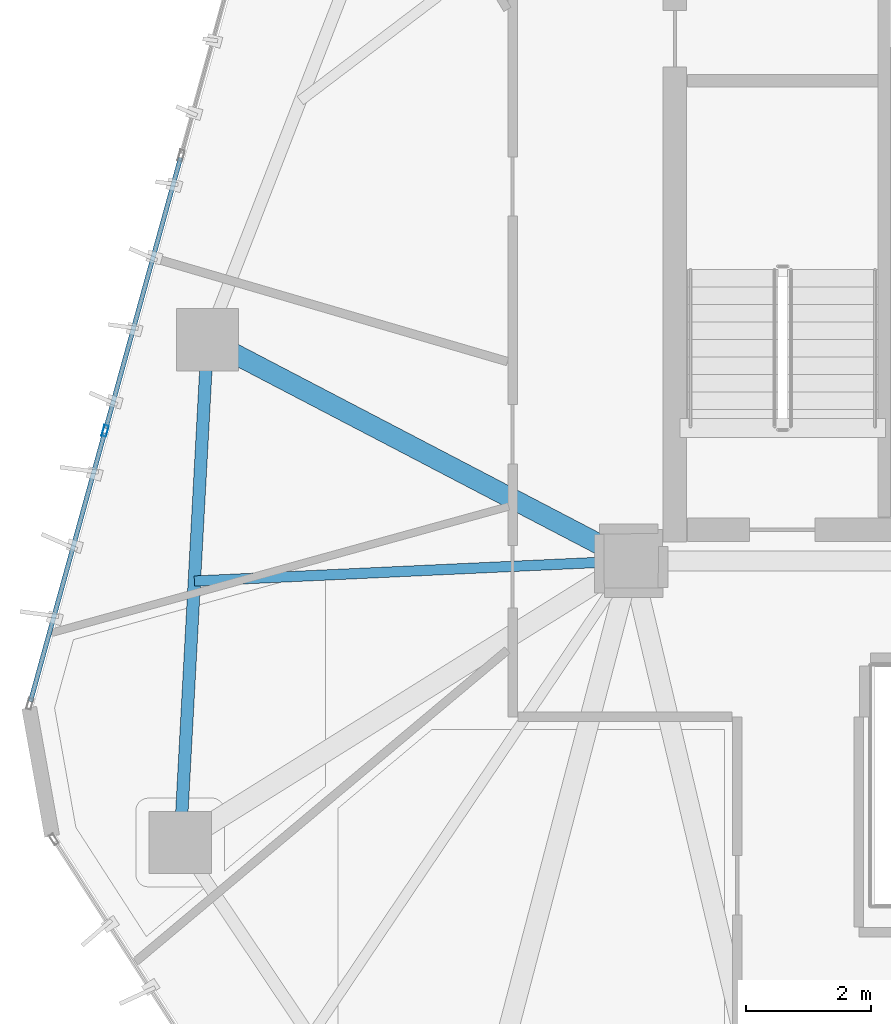
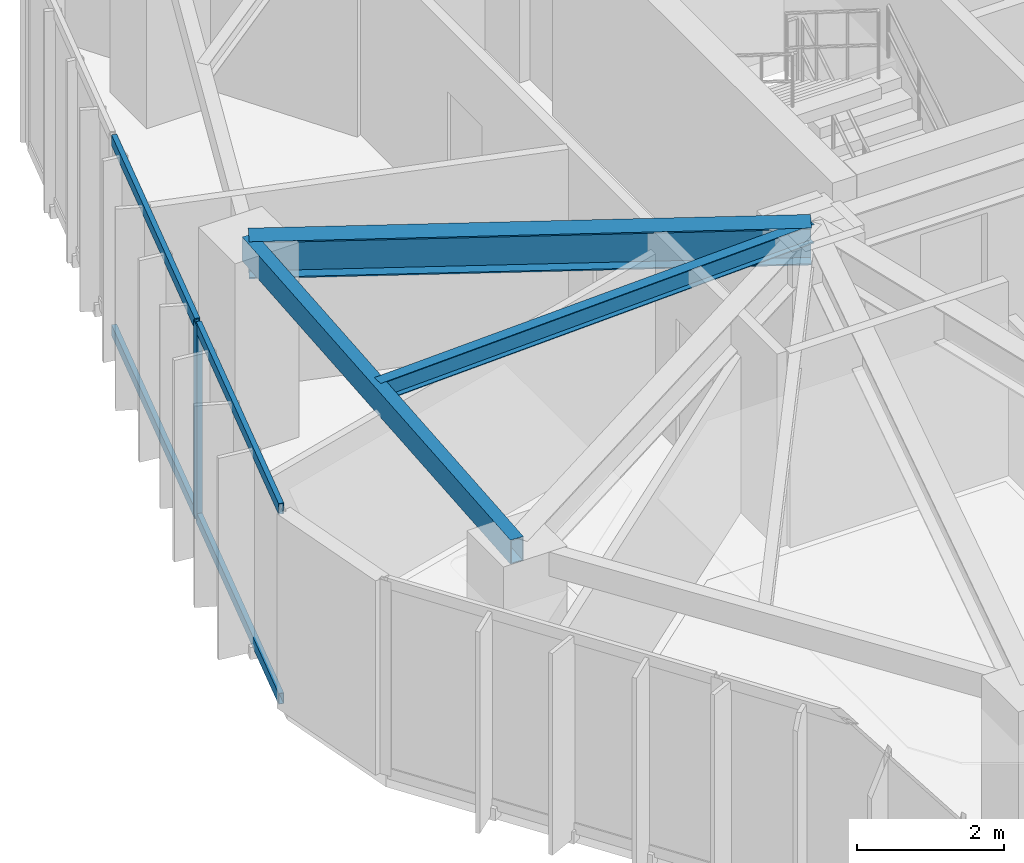
# One storey, part 6 of 19: 5 members, 3 beams, 1 element without a shape of its own.
"""IFC4 building model written with IfcOpenShell, lengths in metres."""

from ifc_helpers import new_model, si_unit, direction, frame, origin, origin_2d, place, context, subcontext, project, spatial, hollow_rectangle, i_section, extrude, source, transform, mapped, material, layer, layer_set, material_profile, profile_set, type_object, type_shapes, element, aggregate, save


model = new_model("IFC4")

# Units and contexts
model_context = context("Model", 3, precision=1e-05, world=origin(), true_north=direction((0.0, 1.0)))
body_context = subcontext(model_context, "Body", "Model", "MODEL_VIEW")
ifc_project = project(units=[si_unit("LENGTHUNIT", "METRE"), si_unit("AREAUNIT", "SQUARE_METRE"), si_unit("VOLUMEUNIT", "CUBIC_METRE"), si_unit("PLANEANGLEUNIT", "RADIAN"), si_unit("MASSUNIT", "GRAM", prefix="KILO")], contexts=[model_context])

# Site, building, storey
site_placement = place(None, origin())
site = spatial("IfcSite", under=ifc_project, at=site_placement, CompositionType="ELEMENT")
building_placement = place(site_placement, origin())
building = spatial("IfcBuilding", under=site, at=building_placement, Name="Talar Marvaseh", CompositionType="ELEMENT")
storey_placement = place(building_placement, frame((0.0, 0.0, 181.0)))
storey = spatial("IfcBuildingStorey", under=building, at=storey_placement, Name="L47", CompositionType="ELEMENT", Elevation=181.0)

# Beams
ifc_material_1 = material(Name="Steel S355", Category="steel")
ifc_material_profile_1 = material_profile(ifc_material_1, hollow_rectangle(XDim=0.199951171875, YDim=0.39990234375, WallThickness=0.013916015625, at=origin_2d()), Name="RHS400x200x14")
ifc_profile_set_1 = profile_set([ifc_material_profile_1], Name="Steel S355")
beam_type_1 = type_object("IfcBeamType", Name="Zone 3 Perimeter Spandrel Beam RHS400x200x14", PredefinedType="SPANDREL", material=ifc_profile_set_1)
beam_1_placement = place(storey_placement, frame((11.471923828125, 20.986083984375, 3.030029296875), z_axis=(0.054148078426, 0.998532916635, 0.0), x_axis=(-0.998532916635, 0.054148078426, 0.0)))
element("IfcBeam", 1, at=beam_1_placement, inside=storey, type_object=beam_type_1, Name="L47 Zone 3 Perimeter Spandrel Beam RHS400x200x14", PredefinedType="SPANDREL", context=body_context, shape_type="SweptSolid", body=[
    extrude(hollow_rectangle(XDim=0.199951171875, YDim=0.39990234375, WallThickness=0.013916015625, at=origin_2d()), origin(), (0.0, 0.0, 1.0), 8.070556640625),
])
ifc_material_profile_2 = material_profile(ifc_material_1, i_section(OverallWidth=0.324951171875, OverallDepth=0.615966796875, WebThickness=0.013916015625, FlangeThickness=0.021484375, at=origin_2d()), Name="W610x174")
ifc_profile_set_2 = profile_set([ifc_material_profile_2], Name="Steel S355")
beam_type_2 = type_object("IfcBeamType", Name="Zone 3 Radial Floor Girder W610x174", PredefinedType="BEAM", material=ifc_profile_set_2)
beam_2_placement = place(storey_placement, frame((11.908935546875, 29.044921875, 2.922119140625), z_axis=(0.886489360055, -0.462748975697, 0.0), x_axis=(0.462748975697, 0.886489360055, 0.0)))
element("IfcBeam", 2, at=beam_2_placement, inside=storey, type_object=beam_type_2, Name="L47 Zone 3 Radial Floor Girder W610x174", PredefinedType="BEAM", context=body_context, shape_type="SweptSolid", body=[
    extrude(i_section(OverallWidth=0.324951171875, OverallDepth=0.615966796875, WebThickness=0.013916015625, FlangeThickness=0.021484375, at=origin_2d()), origin(), (0.0, 0.0, 1.0), 7.66064453125),
])
ifc_material_profile_3 = material_profile(ifc_material_1, i_section(OverallWidth=0.166015625, OverallDepth=0.31298828125, WebThickness=0.006591796875, FlangeThickness=0.01123046875, at=origin_2d()), Name="W310x45")
ifc_profile_set_3 = profile_set([ifc_material_profile_3], Name="Steel S355")
beam_type_3 = type_object("IfcBeamType", Name="Zone 3 Secondary Floor Joist W310x45", PredefinedType="JOIST", material=ifc_profile_set_3)
beam_3_placement = place(storey_placement, frame((11.69921875, 25.1767578125, 3.073486328125), z_axis=(0.998935745755, 0.046123484826, 0.0), x_axis=(-0.046123484826, 0.998935745755, 0.0)))
element("IfcBeam", 3, at=beam_3_placement, inside=storey, type_object=beam_type_3, Name="L47 Zone 3 Secondary Floor Joist W310x45", PredefinedType="JOIST", context=body_context, shape_type="SweptSolid", body=[
    extrude(i_section(OverallWidth=0.166015625, OverallDepth=0.31298828125, WebThickness=0.006591796875, FlangeThickness=0.01123046875, at=origin_2d()), origin(), (0.0, 0.0, 1.0), 7.00830078125),
])

# Curtain wall, members
ifc_material_2 = material(Name="Architectural Aluminium", Category="aluminium")
ifc_layer = layer(ifc_material_2, 0.18994140625)
ifc_layer_set = layer_set([ifc_layer], Name="Architectural Aluminium")
curtain_wall_type = type_object("IfcCurtainWallType", Name="Unitised Solar Atelier Curtain Wall Z3", PredefinedType="NOTDEFINED", material=ifc_layer_set)
curtain_wall_placement = place(storey_placement, origin())
curtain_wall = element("IfcCurtainWall", 4, at=curtain_wall_placement, inside=storey, type_object=curtain_wall_type, Name="L47 Unitised Solar Atelier Curtain Wall Z3", PredefinedType="NOTDEFINED")
ifc_material_profile_4 = material_profile(ifc_material_2, hollow_rectangle(XDim=0.074951171875, YDim=0.179931640625, WallThickness=0.0048828125, at=origin_2d()), Name="RHS180x75x5")
ifc_profile_set_4 = profile_set([ifc_material_profile_4], Name="Architectural Aluminium")
member_type_1 = type_object("IfcMemberType", Name="Unitised Curtain Wall Standard Mullion RHS180x75x5", PredefinedType="MULLION", material=ifc_profile_set_4)
shared_shape_1 = source(origin(), body_context, "Body", "SweptSolid", [
    extrude(hollow_rectangle(XDim=0.074951171875, YDim=0.179931640625, WallThickness=0.0048828125, at=origin_2d()), origin(), (0.0, 0.0, 1.0), 3.22998046875),
])
type_shapes(member_type_1, [shared_shape_1])
member_1_placement = place(storey_placement, frame((10.270263671875, 27.58544921875, 0.0), z_axis=(0.0, 0.0, 1.0), x_axis=(-0.96394548055, 0.266099813091, 0.0)))
member_1 = element("IfcMember", 5, at=member_1_placement, type_object=member_type_1, Name="CW-Z3 mullion 2", PredefinedType="MULLION", context=body_context, shape_type="MappedRepresentation", body=[
    mapped(shared_shape_1, transform((0.0, 0.0, 0.0), x_axis=(1.0, 0.0, 0.0), y_axis=(0.0, 1.0, 0.0), z_axis=(0.0, 0.0, 1.0), scale=1.0)),
])
ifc_material_profile_5 = material_profile(ifc_material_2, hollow_rectangle(XDim=0.074951171875, YDim=0.179931640625, WallThickness=0.0048828125, at=origin_2d()), Name="RHS180x75x5")
ifc_profile_set_5 = profile_set([ifc_material_profile_5], Name="Architectural Aluminium")
member_type_2 = type_object("IfcMemberType", Name="Unitised Curtain Wall Transom RHS180x75x5", PredefinedType="USERDEFINED", material=ifc_profile_set_5)
shared_shape_2 = source(origin(), body_context, "Body", "SweptSolid", [
    extrude(hollow_rectangle(XDim=0.074951171875, YDim=0.179931640625, WallThickness=0.0048828125, at=origin_2d()), origin(), (0.0, 0.0, 1.0), 4.464599609375),
])
member_2_placement = place(storey_placement, frame((9.072265625, 23.24560546875, 0.03759765625), z_axis=(0.266086698669, 0.963949100727, 0.0), x_axis=(-0.963949100727, 0.266086698669, 0.0)))
member_2 = element("IfcMember", 6, at=member_2_placement, type_object=member_type_2, Name="CW-Z3 transom 1.1", ObjectType="TRANSOM", PredefinedType="USERDEFINED", context=body_context, shape_type="MappedRepresentation", body=[
    mapped(shared_shape_2, transform((0.0, 0.0, 0.0), x_axis=(1.0, 0.0, 0.0), y_axis=(0.0, 1.0, 0.0), z_axis=(0.0, 0.0, 1.0), scale=1.0)),
])
member_3_placement = place(storey_placement, frame((9.072265625, 23.24560546875, 3.1923828125), z_axis=(0.266086698669, 0.963949100727, 0.0), x_axis=(-0.963949100727, 0.266086698669, 0.0)))
member_3 = element("IfcMember", 7, at=member_3_placement, type_object=member_type_2, Name="CW-Z3 transom 1.2", ObjectType="TRANSOM", PredefinedType="USERDEFINED", context=body_context, shape_type="MappedRepresentation", body=[
    mapped(shared_shape_2, transform((0.0, 0.0, 0.0), x_axis=(1.0, 0.0, 0.0), y_axis=(0.0, 1.0, 0.0), z_axis=(0.0, 0.0, 1.0), scale=1.0)),
])
shared_shape_3 = source(origin(), body_context, "Body", "SweptSolid", [
    extrude(hollow_rectangle(XDim=0.074951171875, YDim=0.179931640625, WallThickness=0.0048828125, at=origin_2d()), origin(), (0.0, 0.0, 1.0), 4.50244140625),
])
type_shapes(member_type_2, [shared_shape_2, shared_shape_3])
member_4_placement = place(storey_placement, frame((10.2802734375, 27.62158203125, 0.03759765625), z_axis=(0.266080164682, 0.963950904332, 0.0), x_axis=(-0.963950904332, 0.266080164682, 0.0)))
member_4 = element("IfcMember", 8, at=member_4_placement, type_object=member_type_2, Name="CW-Z3 transom 2.1", ObjectType="TRANSOM", PredefinedType="USERDEFINED", context=body_context, shape_type="MappedRepresentation", body=[
    mapped(shared_shape_3, transform((0.0, 0.0, 0.0), x_axis=(1.0, 0.0, 0.0), y_axis=(0.0, 1.0, 0.0), z_axis=(0.0, 0.0, 1.0), scale=1.0)),
])
member_5_placement = place(storey_placement, frame((10.2802734375, 27.62158203125, 3.1923828125), z_axis=(0.266080164682, 0.963950904332, 0.0), x_axis=(-0.963950904332, 0.266080164682, 0.0)))
member_5 = element("IfcMember", 9, at=member_5_placement, type_object=member_type_2, Name="CW-Z3 transom 2.2", ObjectType="TRANSOM", PredefinedType="USERDEFINED", context=body_context, shape_type="MappedRepresentation", body=[
    mapped(shared_shape_3, transform((0.0, 0.0, 0.0), x_axis=(1.0, 0.0, 0.0), y_axis=(0.0, 1.0, 0.0), z_axis=(0.0, 0.0, 1.0), scale=1.0)),
])
aggregate(curtain_wall, [member_1, member_2, member_3, member_4, member_5])

save(model, "model.ifc")
